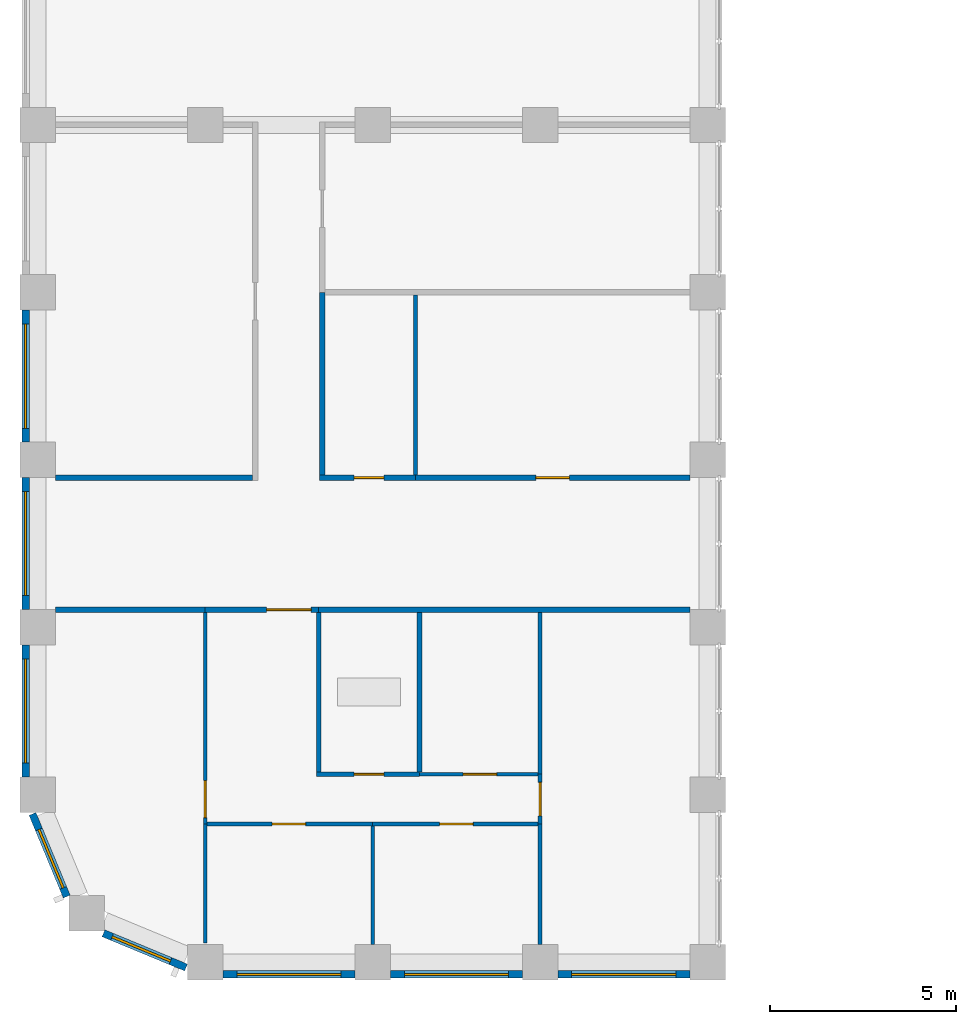
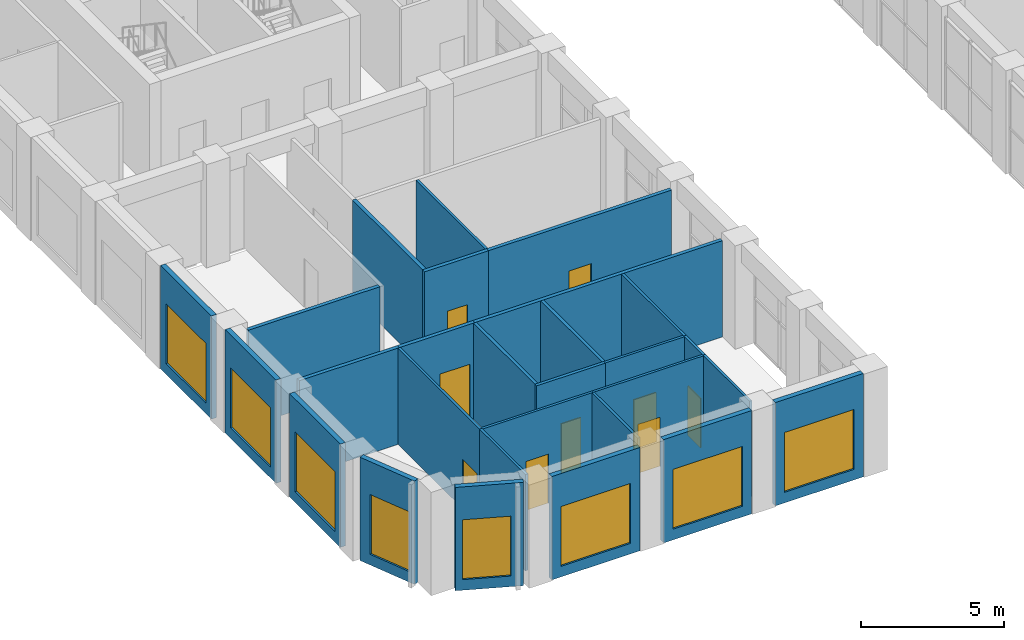
# One storey, part 9 of 19: 28 walls, 9 doors, 8 windows, 17 openings.
"""IFC4 building model written with IfcOpenShell, lengths in metres."""

import ifcopenshell
import ifcopenshell.guid

model = None  # the IFC model being written
_history = None  # IfcOwnerHistory: only IFC2X3 demands one
_inside = {}  # id of a spatial element -> (the spatial element, [elements in it])
_under = {}  # id of a project, library or spatial element -> (it, [spatial elements below it])
_declared = {}  # id of a project -> (the project, [libraries it declares])
_typed = {}  # id of a type object -> (the type object, [elements of that type])
_made_of = {}  # id of a material, layer set ... -> (it, [elements and type objects made of it])


def new_model(schema):
    """Start an empty IFC model of exactly this schema.

    Asked for "IFC4X3", IfcOpenShell would pick the latest addendum, in which some entities
    have other attributes; the version numbers below select the first issue.
    IFC2X3 requires an IfcOwnerHistory on every rooted entity: one is made here for all.
    """
    global model, _history
    if schema == "IFC4X3":
        model = ifcopenshell.file(schema_version=(4, 3, 0, 0))
    else:
        model = ifcopenshell.file(schema=schema)
    _inside.clear()
    _under.clear()
    _declared.clear()
    _typed.clear()
    _made_of.clear()
    _history = None
    if model.schema == "IFC2X3":
        org = make("IfcOrganization", Name="unknown")
        user = make(
            "IfcPersonAndOrganization",
            ThePerson=make("IfcPerson", FamilyName="unknown"),
            TheOrganization=org,
        )
        app = make(
            "IfcApplication",
            ApplicationDeveloper=org,
            Version="unknown",
            ApplicationFullName="unknown",
            ApplicationIdentifier="unknown",
        )
        _history = make(
            "IfcOwnerHistory",
            OwningUser=user,
            OwningApplication=app,
            ChangeAction="ADDED",
            CreationDate=0,
        )
    return model


def make(cls, **values):
    """One entity of the class cls with the attributes given. An attribute that is None is left unset."""
    return model.create_entity(
        cls, **{name: value for name, value in values.items() if value is not None}
    )


def rooted(cls, **values):
    """An entity with a GlobalId (a new one), such as an element, a storey or a relation."""
    return make(cls, GlobalId=ifcopenshell.guid.new(), OwnerHistory=_history, **values)


def si_unit(unit_type, name, prefix=None):
    """IfcSIUnit, for example si_unit("LENGTHUNIT", "METRE", prefix="MILLI")."""
    return make("IfcSIUnit", UnitType=unit_type, Prefix=prefix, Name=name)


def assignment(units):
    """IfcUnitAssignment: the units of a project."""
    return None if units is None else make("IfcUnitAssignment", Units=units)


def point(xyz):
    """IfcCartesianPoint."""
    return None if xyz is None else make("IfcCartesianPoint", Coordinates=xyz)


def direction(xyz):
    """IfcDirection."""
    return None if xyz is None else make("IfcDirection", DirectionRatios=xyz)


def frame(location, z_axis=None, x_axis=None):
    """IfcAxis2Placement3D, a coordinate frame: its origin and axes. An axis left out is left unset."""
    return make(
        "IfcAxis2Placement3D",
        Location=point(location),
        Axis=direction(z_axis),
        RefDirection=direction(x_axis),
    )


def frame_2d(location, x_axis=None):
    """IfcAxis2Placement2D, a coordinate frame in the plane: its origin and x axis."""
    return make(
        "IfcAxis2Placement2D", Location=point(location), RefDirection=direction(x_axis)
    )


def origin():
    """The frame at (0, 0, 0) with its axes left unset."""
    return frame((0.0, 0.0, 0.0))


def place(relative_to, where):
    """IfcLocalPlacement: puts the frame where relative to a parent placement (None: the world)."""
    return make(
        "IfcLocalPlacement", PlacementRelTo=relative_to, RelativePlacement=where
    )


def context(
    kind, dimensions, precision=None, world=None, true_north=None, identifier=None
):
    """IfcGeometricRepresentationContext, for example the 3D "Model" context."""
    return make(
        "IfcGeometricRepresentationContext",
        ContextIdentifier=identifier,
        ContextType=kind,
        CoordinateSpaceDimension=dimensions,
        Precision=precision,
        WorldCoordinateSystem=world,
        TrueNorth=true_north,
    )


def subcontext(parent, identifier, kind, view, scale=None):
    """IfcGeometricRepresentationSubContext, for example "Body" below "Model"."""
    return make(
        "IfcGeometricRepresentationSubContext",
        ContextIdentifier=identifier,
        ContextType=kind,
        ParentContext=parent,
        TargetScale=scale,
        TargetView=view,
    )


def project(units=None, contexts=None):
    """IfcProject with its units and contexts."""
    return rooted(
        "IfcProject",
        Name="project",
        RepresentationContexts=contexts,
        UnitsInContext=assignment(units),
    )


def spatial(cls, under=None, at=None, **own):
    """A site, building, storey or space (cls), placed at a placement, below another one or the project."""
    s = rooted(cls, ObjectPlacement=at, **own)
    if under is not None:
        _under.setdefault(under.id(), (under, []))[1].append(s)
    return s


def profile(cls, at=None, kind="AREA", **sizes):
    """A parametric profile (cls). Its sizes go by their IFC names, for example OverallWidth=200.0."""
    return make(cls, ProfileType=kind, Position=at, **sizes)


def rectangle(**sizes):
    """IfcRectangleProfileDef."""
    return profile("IfcRectangleProfileDef", **sizes)


def extrude(swept, where, along, depth):
    """IfcExtrudedAreaSolid: the profile swept, set in the frame where, extruded along a direction by depth."""
    return make(
        "IfcExtrudedAreaSolid",
        SweptArea=swept,
        Position=where,
        ExtrudedDirection=direction(along),
        Depth=depth,
    )


def shape(context_of_items, identifier, shape_type, items):
    """IfcShapeRepresentation: the items that make up one representation, for example the "Body"."""
    return make(
        "IfcShapeRepresentation",
        ContextOfItems=context_of_items,
        RepresentationIdentifier=identifier,
        RepresentationType=shape_type,
        Items=items,
    )


def material(Name=None, Category=None):
    """IfcMaterial."""
    return make("IfcMaterial", Name=Name, Category=Category)


def layer(
    of_material, thickness, ventilated=None, Name=None, Category=None, Priority=None
):
    """IfcMaterialLayer: one layer of a wall or slab, of a material (None: an air gap)."""
    return make(
        "IfcMaterialLayer",
        Material=of_material,
        LayerThickness=thickness,
        IsVentilated=ventilated,
        Name=Name,
        Category=Category,
        Priority=Priority,
    )


def layer_set(layers, Name=None):
    """IfcMaterialLayerSet."""
    return make("IfcMaterialLayerSet", MaterialLayers=layers, LayerSetName=Name)


def made_of(thing, what):
    """Note that an element or type object is made of a material, layer set ...; save() writes the relation."""
    if what is not None:
        _made_of.setdefault(what.id(), (what, []))[1].append(thing)
    return thing


def type_object(cls, material=None, **own):
    """A type object (cls), such as IfcWallType, which elements share."""
    return made_of(rooted(cls, **own), material)


def element(
    cls,
    number,
    at=None,
    inside=None,
    cuts=None,
    type_object=None,
    material=None,
    context=None,
    identifier="Body",
    shape_type=None,
    held_by="IfcProductDefinitionShape",
    body=None,
    shapes=None,
    **own,
):
    """One element of the class cls, such as IfcWall. Its Tag is "e" and its number.

    at: its placement. inside: the storey or other place that contains it. cuts: it is an
    opening in that element (IfcRelVoidsElement). A single representation is given by context,
    identifier, shape_type and body (its items); several are given by shapes. held_by: the class
    of the entity that holds the representations. save() writes the other relations.
    """
    e = rooted(cls, Tag="e%d" % number, ObjectPlacement=at, **own)
    if body is not None:
        shapes = [shape(context, identifier, shape_type, body)]
    if shapes is not None:
        e.Representation = make(held_by, Representations=shapes)
    if inside is not None:
        _inside.setdefault(inside.id(), (inside, []))[1].append(e)
    if cuts is not None:
        rooted(
            "IfcRelVoidsElement", RelatingBuildingElement=cuts, RelatedOpeningElement=e
        )
    if type_object is not None:
        _typed.setdefault(type_object.id(), (type_object, []))[1].append(e)
    return made_of(e, material)


def fill(opening, filler):
    """IfcRelFillsElement: the door or window that sits in an opening."""
    return rooted(
        "IfcRelFillsElement",
        RelatingOpeningElement=opening,
        RelatedBuildingElement=filler,
    )


def aggregate(whole, parts):
    """IfcRelAggregates: a whole, such as a stair, and the parts it consists of."""
    return rooted("IfcRelAggregates", RelatingObject=whole, RelatedObjects=parts)


def save(model, path):
    """Write the relations noted so far, then the file.

    IfcRelAggregates (storeys below a building ...), IfcRelContainedInSpatialStructure (elements
    in a storey), IfcRelDefinesByType, IfcRelAssociatesMaterial and IfcRelDeclares: one each for
    every whole, place, type object, material and project.
    """
    for whole, parts in _under.values():
        aggregate(whole, parts)
    for where, things in _inside.values():
        rooted(
            "IfcRelContainedInSpatialStructure",
            RelatedElements=things,
            RelatingStructure=where,
        )
    for kind, things in _typed.values():
        rooted("IfcRelDefinesByType", RelatedObjects=things, RelatingType=kind)
    for what, things in _made_of.values():
        rooted("IfcRelAssociatesMaterial", RelatedObjects=things, RelatingMaterial=what)
    for by, libraries in _declared.values():
        rooted("IfcRelDeclares", RelatingContext=by, RelatedDefinitions=libraries)
    model.write(path)


model = new_model("IFC4")

# Units and contexts
model_context = context("Model", 3, precision=1e-05, world=origin(), true_north=direction((0.0, 1.0)))
body_context = subcontext(model_context, "Body", "Model", "MODEL_VIEW")
ifc_project = project(units=[si_unit("LENGTHUNIT", "METRE"), si_unit("AREAUNIT", "SQUARE_METRE"), si_unit("VOLUMEUNIT", "CUBIC_METRE"), si_unit("PLANEANGLEUNIT", "RADIAN"), si_unit("MASSUNIT", "GRAM", prefix="KILO")], contexts=[model_context])

# Site, building, storey
site_placement = place(None, origin())
site = spatial("IfcSite", under=ifc_project, at=site_placement, CompositionType="ELEMENT")
building_placement = place(site_placement, origin())
building = spatial("IfcBuilding", under=site, at=building_placement, Name="Girih Gate Residences", CompositionType="ELEMENT")
storey_placement = place(building_placement, frame((0.0, 0.0, 163.800048828125)))
storey = spatial("IfcBuildingStorey", under=building, at=storey_placement, Name="L45", CompositionType="ELEMENT", Elevation=163.800048828125)

# Wall
ifc_material_1 = material(Name="Gypsum board on steel studs", Category="steel")
ifc_layer_1 = layer(ifc_material_1, 0.14990234375)
ifc_layer_set_1 = layer_set([ifc_layer_1], Name="Compartment wall 150 mm")
wall_type_1 = type_object("IfcWallType", Name="Compartment wall 150 mm", PredefinedType="PARTITIONING", material=ifc_layer_set_1)
wall_1_placement = place(storey_placement, frame((7.550048828125, 9.47509765625, 0.0), z_axis=(0.0, 0.0, 1.0), x_axis=(1.0, 0.0, 0.0)))
element("IfcWall", 1, at=wall_1_placement, inside=storey, type_object=wall_type_1, Name="L45 partition", PredefinedType="PARTITIONING", context=body_context, shape_type="SweptSolid", body=[
    extrude(rectangle(XDim=9.974853515625, YDim=0.14990234375, at=frame_2d((4.9873046875, 0.0))), origin(), (0.0, 0.0, 1.0), 4.099853515625),
])

# Wall, opening, door
wall_2_placement = place(storey_placement, frame((7.550048828125, 9.47509765625, 0.0), z_axis=(0.0, 0.0, 1.0), x_axis=(-1.0, 0.0, 0.0)))
wall_2 = element("IfcWall", 2, at=wall_2_placement, inside=storey, type_object=wall_type_1, Name="L45 partition", PredefinedType="PARTITIONING", context=body_context, shape_type="SweptSolid", body=[
    extrude(rectangle(XDim=3.050048828125, YDim=0.14990234375, at=frame_2d((1.52490234375, 0.0))), origin(), (0.0, 0.0, 1.0), 4.099853515625),
])
opening_1_placement = place(wall_2_placement, frame((0.199951171875, 0.0, 0.0)))
opening_1 = element("IfcOpeningElement", 3, at=opening_1_placement, cuts=wall_2, Name="Opening A45-007", PredefinedType="OPENING", context=body_context, shape_type="SweptSolid", body=[
    extrude(rectangle(XDim=1.199951171875, YDim=2.39990234375, at=frame_2d((0.60009765625, 1.199951171875))), frame((0.0, 0.0849609375, 0.0), z_axis=(0.0, -1.0, 0.0), x_axis=(1.0, 0.0, 0.0)), (0.0, 0.0, 1.0), 0.169921875),
])
ifc_material_2 = material(Name="Timber, fire-rated core", Category="wood")
door_type_1 = type_object("IfcDoorType", Name="Villa entrance door 1200x2400 FD30S", OperationType="NOTDEFINED", PredefinedType="DOOR", material=ifc_material_2)
door_1_placement = place(opening_1_placement, origin())
door_1 = element("IfcDoor", 4, at=door_1_placement, inside=storey, type_object=door_type_1, Name="Door A45-007", OperationType="SINGLE_SWING_LEFT", OverallHeight=2.39990234375, OverallWidth=1.199951171875, PredefinedType="DOOR", context=body_context, shape_type="SweptSolid", body=[
    extrude(rectangle(XDim=1.199951171875, YDim=2.39990234375, at=frame_2d((0.60009765625, 1.199951171875))), frame((0.0, 0.02490234375, 0.0), z_axis=(0.0, -1.0, 0.0), x_axis=(1.0, 0.0, 0.0)), (0.0, 0.0, 1.0), 0.050048828125),
])
fill(opening_1, door_1)

# Wall
wall_3_placement = place(storey_placement, frame((0.47509765625, 9.47509765625, 0.0), z_axis=(0.0, 0.0, 1.0), x_axis=(1.0, 0.0, 0.0)))
element("IfcWall", 5, at=wall_3_placement, inside=storey, type_object=wall_type_1, Name="L45 partition", PredefinedType="PARTITIONING", context=body_context, shape_type="SweptSolid", body=[
    extrude(rectangle(XDim=4.02490234375, YDim=0.14990234375, at=frame_2d((2.012451171875, 0.0))), origin(), (0.0, 0.0, 1.0), 4.099853515625),
])

# Wall, opening, door
wall_4_placement = place(storey_placement, frame((10.14990234375, 13.02490234375, 0.0), z_axis=(0.0, 0.0, 1.0), x_axis=(1.0, 0.0, 0.0)))
wall_4 = element("IfcWall", 6, at=wall_4_placement, inside=storey, type_object=wall_type_1, Name="L45 partition", PredefinedType="PARTITIONING", context=body_context, shape_type="SweptSolid", body=[
    extrude(rectangle(XDim=7.375, YDim=0.14990234375, at=frame_2d((3.6875, 0.0))), origin(), (0.0, 0.0, 1.0), 4.099853515625),
])
opening_2_placement = place(wall_4_placement, frame((3.237548828125, 0.0, 0.0)))
opening_2 = element("IfcOpeningElement", 7, at=opening_2_placement, cuts=wall_4, Name="Opening A45-034", PredefinedType="OPENING", context=body_context, shape_type="SweptSolid", body=[
    extrude(rectangle(XDim=0.89990234375, YDim=2.10009765625, at=frame_2d((0.449951171875, 1.050048828125))), frame((0.0, 0.0849609375, 0.0), z_axis=(0.0, -1.0, 0.0), x_axis=(1.0, 0.0, 0.0)), (0.0, 0.0, 1.0), 0.169921875),
])
ifc_material_3 = material(Name="Timber", Category="wood")
door_type_2 = type_object("IfcDoorType", Name="Service room door 900x2100", OperationType="NOTDEFINED", PredefinedType="DOOR", material=ifc_material_3)
door_2_placement = place(opening_2_placement, origin())
door_2 = element("IfcDoor", 8, at=door_2_placement, inside=storey, type_object=door_type_2, Name="Door A45-034", OperationType="SINGLE_SWING_LEFT", OverallHeight=2.10009765625, OverallWidth=0.89990234375, PredefinedType="DOOR", context=body_context, shape_type="SweptSolid", body=[
    extrude(rectangle(XDim=0.89990234375, YDim=2.10009765625, at=frame_2d((0.449951171875, 1.050048828125))), frame((0.0, 0.02490234375, 0.0), z_axis=(0.0, -1.0, 0.0), x_axis=(1.0, 0.0, 0.0)), (0.0, 0.0, 1.0), 0.050048828125),
])
fill(opening_2, door_2)

wall_5_placement = place(storey_placement, frame((7.574951171875, 13.02490234375, 0.0), z_axis=(0.0, 0.0, 1.0), x_axis=(1.0, 0.0, 0.0)))
wall_5 = element("IfcWall", 9, at=wall_5_placement, inside=storey, type_object=wall_type_1, Name="L45 partition", PredefinedType="PARTITIONING", context=body_context, shape_type="SweptSolid", body=[
    extrude(rectangle(XDim=2.574951171875, YDim=0.14990234375, at=frame_2d((1.28759765625, 0.0))), origin(), (0.0, 0.0, 1.0), 4.099853515625),
])
opening_3_placement = place(wall_5_placement, frame((0.925048828125, 0.0, 0.0)))
opening_3 = element("IfcOpeningElement", 10, at=opening_3_placement, cuts=wall_5, Name="Opening A45-035", PredefinedType="OPENING", context=body_context, shape_type="SweptSolid", body=[
    extrude(rectangle(XDim=0.800048828125, YDim=2.10009765625, at=frame_2d((0.39990234375, 1.050048828125))), frame((0.0, 0.0849609375, 0.0), z_axis=(0.0, -1.0, 0.0), x_axis=(1.0, 0.0, 0.0)), (0.0, 0.0, 1.0), 0.169921875),
])
door_type_3 = type_object("IfcDoorType", Name="Bathroom door 800x2100", OperationType="NOTDEFINED", PredefinedType="DOOR", material=ifc_material_3)
door_3_placement = place(opening_3_placement, origin())
door_3 = element("IfcDoor", 11, at=door_3_placement, inside=storey, type_object=door_type_3, Name="Door A45-035", OperationType="SINGLE_SWING_RIGHT", OverallHeight=2.10009765625, OverallWidth=0.800048828125, PredefinedType="DOOR", context=body_context, shape_type="SweptSolid", body=[
    extrude(rectangle(XDim=0.800048828125, YDim=2.10009765625, at=frame_2d((0.39990234375, 1.050048828125))), frame((0.0, 0.02490234375, 0.0), z_axis=(0.0, -1.0, 0.0), x_axis=(1.0, 0.0, 0.0)), (0.0, 0.0, 1.0), 0.050048828125),
])
fill(opening_3, door_3)

# Walls
wall_6_placement = place(storey_placement, frame((0.47509765625, 13.02490234375, 0.0), z_axis=(0.0, 0.0, 1.0), x_axis=(1.0, 0.0, 0.0)))
element("IfcWall", 12, at=wall_6_placement, inside=storey, type_object=wall_type_1, Name="L45 partition", PredefinedType="PARTITIONING", context=body_context, shape_type="SweptSolid", body=[
    extrude(rectangle(XDim=5.2998046875, YDim=0.14990234375, at=frame_2d((2.64990234375, 0.0))), origin(), (0.0, 0.0, 1.0), 4.099853515625),
])
wall_7_placement = place(storey_placement, frame((7.64990234375, 13.10009765625, 0.0), z_axis=(0.0, 0.0, 1.0), x_axis=(0.0, 1.0, 0.0)))
element("IfcWall", 13, at=wall_7_placement, inside=storey, type_object=wall_type_1, Name="L45 partition", PredefinedType="PARTITIONING", context=body_context, shape_type="SweptSolid", body=[
    extrude(rectangle(XDim=4.89990234375, YDim=0.14990234375, at=frame_2d((2.449951171875, 0.0))), origin(), (0.0, 0.0, 1.0), 4.099853515625),
])
ifc_layer_2 = layer(ifc_material_1, 0.10009765625)
ifc_layer_set_2 = layer_set([ifc_layer_2], Name="Partition 100 mm")
wall_type_2 = type_object("IfcWallType", Name="Partition 100 mm", PredefinedType="PARTITIONING", material=ifc_layer_set_2)
wall_8_placement = place(storey_placement, frame((9.0, 0.47509765625, 0.0), z_axis=(0.0, 0.0, 1.0), x_axis=(0.0, 1.0, 0.0)))
element("IfcWall", 14, at=wall_8_placement, inside=storey, type_object=wall_type_2, Name="L45 partition", PredefinedType="PARTITIONING", context=body_context, shape_type="SweptSolid", body=[
    extrude(rectangle(XDim=3.18994140625, YDim=0.10009765625, at=frame_2d((1.594970703125, 0.0))), origin(), (0.0, 0.0, 1.0), 4.099853515625),
])

# Wall, opening, door
wall_9_placement = place(storey_placement, frame((9.0, 3.715087890625, 0.0), z_axis=(0.0, 0.0, 1.0), x_axis=(-1.0, 0.0, 0.0)))
wall_9 = element("IfcWall", 15, at=wall_9_placement, inside=storey, type_object=wall_type_2, Name="L45 partition", PredefinedType="PARTITIONING", context=body_context, shape_type="SweptSolid", body=[
    extrude(rectangle(XDim=4.449951171875, YDim=0.10009765625, at=frame_2d((2.22509765625, 0.0))), origin(), (0.0, 0.0, 1.0), 4.099853515625),
])
opening_4_placement = place(wall_9_placement, frame((1.800048828125, 0.0, 0.0)))
opening_4 = element("IfcOpeningElement", 16, at=opening_4_placement, cuts=wall_9, Name="Opening A45-002", PredefinedType="OPENING", context=body_context, shape_type="SweptSolid", body=[
    extrude(rectangle(XDim=0.89990234375, YDim=2.10009765625, at=frame_2d((0.449951171875, 1.050048828125))), frame((0.0, 0.06005859375, 0.0), z_axis=(0.0, -1.0, 0.0), x_axis=(1.0, 0.0, 0.0)), (0.0, 0.0, 1.0), 0.1201171875),
])
door_type_4 = type_object("IfcDoorType", Name="Bedroom door 900x2100", OperationType="NOTDEFINED", PredefinedType="DOOR", material=ifc_material_3)
door_4_placement = place(opening_4_placement, origin())
door_4 = element("IfcDoor", 17, at=door_4_placement, inside=storey, type_object=door_type_4, Name="Door A45-002", OperationType="SINGLE_SWING_RIGHT", OverallHeight=2.10009765625, OverallWidth=0.89990234375, PredefinedType="DOOR", context=body_context, shape_type="SweptSolid", body=[
    extrude(rectangle(XDim=0.89990234375, YDim=2.10009765625, at=frame_2d((0.449951171875, 1.050048828125))), frame((0.0, 0.02490234375, 0.0), z_axis=(0.0, -1.0, 0.0), x_axis=(1.0, 0.0, 0.0)), (0.0, 0.0, 1.0), 0.050048828125),
])
fill(opening_4, door_4)

# Walls
wall_10_placement = place(storey_placement, frame((4.5, 0.51416015625, 0.0), z_axis=(0.0, 0.0, 1.0), x_axis=(0.0, 1.0, 0.0)))
element("IfcWall", 18, at=wall_10_placement, inside=storey, type_object=wall_type_2, Name="L45 partition", PredefinedType="PARTITIONING", context=body_context, shape_type="SweptSolid", body=[
    extrude(rectangle(XDim=3.200927734375, YDim=0.10009765625, at=frame_2d((1.6005859375, 0.0))), origin(), (0.0, 0.0, 1.0), 4.099853515625),
])
wall_11_placement = place(storey_placement, frame((13.5, 0.47509765625, 0.0), z_axis=(0.0, 0.0, 1.0), x_axis=(0.0, 1.0, 0.0)))
element("IfcWall", 19, at=wall_11_placement, inside=storey, type_object=wall_type_2, Name="L45 partition", PredefinedType="PARTITIONING", context=body_context, shape_type="SweptSolid", body=[
    extrude(rectangle(XDim=3.239990234375, YDim=0.10009765625, at=frame_2d((1.6201171875, 0.0))), origin(), (0.0, 0.0, 1.0), 4.099853515625),
])

# Wall, opening, door
wall_12_placement = place(storey_placement, frame((13.449951171875, 3.715087890625, 0.0), z_axis=(0.0, 0.0, 1.0), x_axis=(-1.0, 0.0, 0.0)))
wall_12 = element("IfcWall", 20, at=wall_12_placement, inside=storey, type_object=wall_type_2, Name="L45 partition", PredefinedType="PARTITIONING", context=body_context, shape_type="SweptSolid", body=[
    extrude(rectangle(XDim=4.449951171875, YDim=0.10009765625, at=frame_2d((2.22509765625, 0.0))), origin(), (0.0, 0.0, 1.0), 4.099853515625),
])
opening_5_placement = place(wall_12_placement, frame((1.75, 0.0, 0.0)))
opening_5 = element("IfcOpeningElement", 21, at=opening_5_placement, cuts=wall_12, Name="Opening A45-003", PredefinedType="OPENING", context=body_context, shape_type="SweptSolid", body=[
    extrude(rectangle(XDim=0.89990234375, YDim=2.10009765625, at=frame_2d((0.449951171875, 1.050048828125))), frame((0.0, 0.06005859375, 0.0), z_axis=(0.0, -1.0, 0.0), x_axis=(1.0, 0.0, 0.0)), (0.0, 0.0, 1.0), 0.1201171875),
])
door_5_placement = place(opening_5_placement, origin())
door_5 = element("IfcDoor", 22, at=door_5_placement, inside=storey, type_object=door_type_4, Name="Door A45-003", OperationType="SINGLE_SWING_LEFT", OverallHeight=2.10009765625, OverallWidth=0.89990234375, PredefinedType="DOOR", context=body_context, shape_type="SweptSolid", body=[
    extrude(rectangle(XDim=0.89990234375, YDim=2.10009765625, at=frame_2d((0.449951171875, 1.050048828125))), frame((0.0, 0.02490234375, 0.0), z_axis=(0.0, -1.0, 0.0), x_axis=(1.0, 0.0, 0.0)), (0.0, 0.0, 1.0), 0.050048828125),
])
fill(opening_5, door_5)

wall_13_placement = place(storey_placement, frame((13.5, 5.054931640625, 0.0), z_axis=(0.0, 0.0, 1.0), x_axis=(0.0, -1.0, 0.0)))
wall_13 = element("IfcWall", 23, at=wall_13_placement, inside=storey, type_object=wall_type_2, Name="L45 partition", PredefinedType="PARTITIONING", context=body_context, shape_type="SweptSolid", body=[
    extrude(rectangle(XDim=1.33984375, YDim=0.10009765625, at=frame_2d((0.669921875, 0.0))), origin(), (0.0, 0.0, 1.0), 4.099853515625),
])
opening_6_placement = place(wall_13_placement, frame((0.219970703125, 0.0, 0.0)))
opening_6 = element("IfcOpeningElement", 24, at=opening_6_placement, cuts=wall_13, Name="Opening A45-004", PredefinedType="OPENING", context=body_context, shape_type="SweptSolid", body=[
    extrude(rectangle(XDim=0.89990234375, YDim=2.10009765625, at=frame_2d((0.449951171875, 1.050048828125))), frame((0.0, 0.06005859375, 0.0), z_axis=(0.0, -1.0, 0.0), x_axis=(1.0, 0.0, 0.0)), (0.0, 0.0, 1.0), 0.1201171875),
])
door_6_placement = place(opening_6_placement, origin())
door_6 = element("IfcDoor", 25, at=door_6_placement, inside=storey, type_object=door_type_4, Name="Door A45-004", OperationType="SINGLE_SWING_RIGHT", OverallHeight=2.10009765625, OverallWidth=0.89990234375, PredefinedType="DOOR", context=body_context, shape_type="SweptSolid", body=[
    extrude(rectangle(XDim=0.89990234375, YDim=2.10009765625, at=frame_2d((0.449951171875, 1.050048828125))), frame((0.0, 0.02490234375, 0.0), z_axis=(0.0, -1.0, 0.0), x_axis=(1.0, 0.0, 0.0)), (0.0, 0.0, 1.0), 0.050048828125),
])
fill(opening_6, door_6)

# Wall
wall_14_placement = place(storey_placement, frame((13.5, 5.054931640625, 0.0), z_axis=(0.0, 0.0, 1.0), x_axis=(0.0, 1.0, 0.0)))
element("IfcWall", 26, at=wall_14_placement, inside=storey, type_object=wall_type_2, Name="L45 partition", PredefinedType="PARTITIONING", context=body_context, shape_type="SweptSolid", body=[
    extrude(rectangle(XDim=4.344970703125, YDim=0.10009765625, at=frame_2d((2.17236328125, 0.0))), origin(), (0.0, 0.0, 1.0), 4.099853515625),
])

# Wall, opening, door
wall_15_placement = place(storey_placement, frame((10.258544921875, 5.054931640625, 0.0), z_axis=(0.0, 0.0, 1.0), x_axis=(1.0, 0.0, 0.0)))
wall_15 = element("IfcWall", 27, at=wall_15_placement, inside=storey, type_object=wall_type_2, Name="L45 partition", PredefinedType="PARTITIONING", context=body_context, shape_type="SweptSolid", body=[
    extrude(rectangle(XDim=3.19140625, YDim=0.10009765625, at=frame_2d((1.595703125, 0.0))), origin(), (0.0, 0.0, 1.0), 4.099853515625),
])
opening_7_placement = place(wall_15_placement, frame((1.170654296875, 0.0, 0.0)))
opening_7 = element("IfcOpeningElement", 28, at=opening_7_placement, cuts=wall_15, Name="Opening A45-005", PredefinedType="OPENING", context=body_context, shape_type="SweptSolid", body=[
    extrude(rectangle(XDim=0.89990234375, YDim=2.10009765625, at=frame_2d((0.449951171875, 1.050048828125))), frame((0.0, 0.06005859375, 0.0), z_axis=(0.0, -1.0, 0.0), x_axis=(1.0, 0.0, 0.0)), (0.0, 0.0, 1.0), 0.1201171875),
])
door_type_5 = type_object("IfcDoorType", Name="Kitchen door 900x2100", OperationType="NOTDEFINED", PredefinedType="DOOR", material=ifc_material_3)
door_7_placement = place(opening_7_placement, origin())
door_7 = element("IfcDoor", 29, at=door_7_placement, inside=storey, type_object=door_type_5, Name="Door A45-005", OperationType="SINGLE_SWING_RIGHT", OverallHeight=2.10009765625, OverallWidth=0.89990234375, PredefinedType="DOOR", context=body_context, shape_type="SweptSolid", body=[
    extrude(rectangle(XDim=0.89990234375, YDim=2.10009765625, at=frame_2d((0.449951171875, 1.050048828125))), frame((0.0, 0.02490234375, 0.0), z_axis=(0.0, -1.0, 0.0), x_axis=(1.0, 0.0, 0.0)), (0.0, 0.0, 1.0), 0.050048828125),
])
fill(opening_7, door_7)

wall_16_placement = place(storey_placement, frame((4.5, 3.715087890625, 0.0), z_axis=(0.0, 0.0, 1.0), x_axis=(0.0, 1.0, 0.0)))
wall_16 = element("IfcWall", 30, at=wall_16_placement, inside=storey, type_object=wall_type_2, Name="L45 partition", PredefinedType="PARTITIONING", context=body_context, shape_type="SweptSolid", body=[
    extrude(rectangle(XDim=5.684814453125, YDim=0.10009765625, at=frame_2d((2.84228515625, 0.0))), origin(), (0.0, 0.0, 1.0), 4.099853515625),
])
opening_8_placement = place(wall_16_placement, frame((0.169921875, 0.0, 0.0)))
opening_8 = element("IfcOpeningElement", 31, at=opening_8_placement, cuts=wall_16, Name="Opening A45-006", PredefinedType="OPENING", context=body_context, shape_type="SweptSolid", body=[
    extrude(rectangle(XDim=1.0, YDim=2.10009765625, at=frame_2d((0.5, 1.050048828125))), frame((0.0, 0.06005859375, 0.0), z_axis=(0.0, -1.0, 0.0), x_axis=(1.0, 0.0, 0.0)), (0.0, 0.0, 1.0), 0.1201171875),
])
door_type_6 = type_object("IfcDoorType", Name="Living room door 1000x2100", OperationType="NOTDEFINED", PredefinedType="DOOR", material=ifc_material_3)
door_8_placement = place(opening_8_placement, origin())
door_8 = element("IfcDoor", 32, at=door_8_placement, inside=storey, type_object=door_type_6, Name="Door A45-006", OperationType="SINGLE_SWING_LEFT", OverallHeight=2.10009765625, OverallWidth=1.0, PredefinedType="DOOR", context=body_context, shape_type="SweptSolid", body=[
    extrude(rectangle(XDim=1.0, YDim=2.10009765625, at=frame_2d((0.5, 1.050048828125))), frame((0.0, 0.02490234375, 0.0), z_axis=(0.0, -1.0, 0.0), x_axis=(1.0, 0.0, 0.0)), (0.0, 0.0, 1.0), 0.050048828125),
])
fill(opening_8, door_8)

# Wall
wall_17_placement = place(storey_placement, frame((10.14990234375, 13.10009765625, 0.0), z_axis=(0.0, 0.0, 1.0), x_axis=(0.0, 1.0, 0.0)))
element("IfcWall", 33, at=wall_17_placement, inside=storey, type_object=wall_type_2, Name="L45 partition", PredefinedType="PARTITIONING", context=body_context, shape_type="SweptSolid", body=[
    extrude(rectangle(XDim=4.824951171875, YDim=0.10009765625, at=frame_2d((2.41259765625, 0.0))), origin(), (0.0, 0.0, 1.0), 4.099853515625),
])

# Wall, opening, window
ifc_material_4 = material(Name="Precast concrete C50/60", Category="concrete")
ifc_layer_3 = layer(ifc_material_4, 0.06005859375, Name="Outer leaf")
ifc_material_5 = material(Name="Rigid PIR insulation")
ifc_layer_4 = layer(ifc_material_5, 0.090087890625, Name="Insulation")
ifc_material_6 = material(Name="Precast concrete C40/50", Category="concrete")
ifc_layer_5 = layer(ifc_material_6, 0.050048828125, Name="Inner leaf")
ifc_layer_set_3 = layer_set([ifc_layer_3, ifc_layer_4, ifc_layer_5], Name="Precast concrete C50/60 external wall 200")
wall_type_3 = type_object("IfcWallType", Name="Precast concrete C50/60 external wall 200", PredefinedType="SOLIDWALL", material=ifc_layer_set_3)
wall_18_placement = place(storey_placement, frame((-0.324951171875, 13.97509765625, 0.0), z_axis=(0.0, 0.0, 1.0), x_axis=(0.0, 1.0, 0.0)))
wall_18 = element("IfcWall", 34, at=wall_18_placement, inside=storey, type_object=wall_type_3, Name="External wall W0000_0450.6", PredefinedType="SOLIDWALL", context=body_context, shape_type="SweptSolid", body=[
    extrude(rectangle(XDim=3.5498046875, YDim=0.199951171875, at=frame_2d((1.77490234375, 0.0))), origin(), (0.0, 0.0, 1.0), 4.39990234375),
])
opening_9_placement = place(wall_18_placement, frame((0.375, 0.0, 0.449951171875)))
opening_9 = element("IfcOpeningElement", 35, at=opening_9_placement, cuts=wall_18, Name="Opening W-6A", PredefinedType="OPENING", context=body_context, shape_type="SweptSolid", body=[
    extrude(rectangle(XDim=2.800048828125, YDim=2.550048828125, at=frame_2d((1.39990234375, 1.27490234375))), frame((0.0, 0.10986328125, 0.0), z_axis=(0.0, -1.0, 0.0), x_axis=(1.0, 0.0, 0.0)), (0.0, 0.0, 1.0), 0.219970703125),
])
ifc_material_7 = material(Name="Double glazing in aluminium frame", Category="aluminium")
window_type_1 = type_object("IfcWindowType", Name="Window W-6A 2800x2550", PartitioningType="SINGLE_PANEL", PredefinedType="WINDOW", material=ifc_material_7)
window_1_placement = place(opening_9_placement, origin())
window_1 = element("IfcWindow", 36, at=window_1_placement, inside=storey, type_object=window_type_1, Name="Window W-6A W0000_0450.6", OverallHeight=2.550048828125, OverallWidth=2.800048828125, PartitioningType="SINGLE_PANEL", PredefinedType="WINDOW", context=body_context, shape_type="SweptSolid", body=[
    extrude(rectangle(XDim=2.800048828125, YDim=2.550048828125, at=frame_2d((1.39990234375, 1.27490234375))), frame((0.0, 0.030029296875, 0.0), z_axis=(0.0, -1.0, 0.0), x_axis=(1.0, 0.0, 0.0)), (0.0, 0.0, 1.0), 0.06005859375),
])
fill(opening_9, window_1)

wall_19_placement = place(storey_placement, frame((-0.324951171875, 9.47509765625, 0.0), z_axis=(0.0, 0.0, 1.0), x_axis=(0.0, 1.0, 0.0)))
wall_19 = element("IfcWall", 37, at=wall_19_placement, inside=storey, type_object=wall_type_3, Name="External wall W0000_0450.7", PredefinedType="SOLIDWALL", context=body_context, shape_type="SweptSolid", body=[
    extrude(rectangle(XDim=3.5498046875, YDim=0.199951171875, at=frame_2d((1.77490234375, 0.0))), origin(), (0.0, 0.0, 1.0), 4.39990234375),
])
opening_10_placement = place(wall_19_placement, frame((0.375, 0.0, 0.449951171875)))
opening_10 = element("IfcOpeningElement", 38, at=opening_10_placement, cuts=wall_19, Name="Opening W-6A", PredefinedType="OPENING", context=body_context, shape_type="SweptSolid", body=[
    extrude(rectangle(XDim=2.800048828125, YDim=2.550048828125, at=frame_2d((1.39990234375, 1.27490234375))), frame((0.0, 0.10986328125, 0.0), z_axis=(0.0, -1.0, 0.0), x_axis=(1.0, 0.0, 0.0)), (0.0, 0.0, 1.0), 0.219970703125),
])
window_2_placement = place(opening_10_placement, origin())
window_2 = element("IfcWindow", 39, at=window_2_placement, inside=storey, type_object=window_type_1, Name="Window W-6A W0000_0450.7", OverallHeight=2.550048828125, OverallWidth=2.800048828125, PartitioningType="SINGLE_PANEL", PredefinedType="WINDOW", context=body_context, shape_type="SweptSolid", body=[
    extrude(rectangle(XDim=2.800048828125, YDim=2.550048828125, at=frame_2d((1.39990234375, 1.27490234375))), frame((0.0, 0.030029296875, 0.0), z_axis=(0.0, -1.0, 0.0), x_axis=(1.0, 0.0, 0.0)), (0.0, 0.0, 1.0), 0.06005859375),
])
fill(opening_10, window_2)

wall_20_placement = place(storey_placement, frame((-0.324951171875, 4.97509765625, 0.0), z_axis=(0.0, 0.0, 1.0), x_axis=(0.0, 1.0, 0.0)))
wall_20 = element("IfcWall", 40, at=wall_20_placement, inside=storey, type_object=wall_type_3, Name="External wall W0000_0450.8", PredefinedType="SOLIDWALL", context=body_context, shape_type="SweptSolid", body=[
    extrude(rectangle(XDim=3.5498046875, YDim=0.199951171875, at=frame_2d((1.77490234375, 0.0))), origin(), (0.0, 0.0, 1.0), 4.39990234375),
])
opening_11_placement = place(wall_20_placement, frame((0.375, 0.0, 0.449951171875)))
opening_11 = element("IfcOpeningElement", 41, at=opening_11_placement, cuts=wall_20, Name="Opening W-6A", PredefinedType="OPENING", context=body_context, shape_type="SweptSolid", body=[
    extrude(rectangle(XDim=2.800048828125, YDim=2.550048828125, at=frame_2d((1.39990234375, 1.27490234375))), frame((0.0, 0.10986328125, 0.0), z_axis=(0.0, -1.0, 0.0), x_axis=(1.0, 0.0, 0.0)), (0.0, 0.0, 1.0), 0.219970703125),
])
window_3_placement = place(opening_11_placement, origin())
window_3 = element("IfcWindow", 42, at=window_3_placement, inside=storey, type_object=window_type_1, Name="Window W-6A W0000_0450.8", OverallHeight=2.550048828125, OverallWidth=2.800048828125, PartitioningType="SINGLE_PANEL", PredefinedType="WINDOW", context=body_context, shape_type="SweptSolid", body=[
    extrude(rectangle(XDim=2.800048828125, YDim=2.550048828125, at=frame_2d((1.39990234375, 1.27490234375))), frame((0.0, 0.030029296875, 0.0), z_axis=(0.0, -1.0, 0.0), x_axis=(1.0, 0.0, 0.0)), (0.0, 0.0, 1.0), 0.06005859375),
])
fill(opening_11, window_3)

wall_21_placement = place(storey_placement, frame((0.7802734375, 1.76708984375, 0.0), z_axis=(0.0, 0.0, 1.0), x_axis=(-0.382680855588, 0.923880599843, 0.0)))
wall_21 = element("IfcWall", 43, at=wall_21_placement, inside=storey, type_object=wall_type_3, Name="External wall SW0000_0045.0", PredefinedType="SOLIDWALL", context=body_context, shape_type="SweptSolid", body=[
    extrude(rectangle(XDim=2.402587890625, YDim=0.199951171875, at=frame_2d((1.201171875, 0.0))), origin(), (0.0, 0.0, 1.0), 4.39990234375),
])
opening_12_placement = place(wall_21_placement, frame((0.25146484375, 0.0, 0.449951171875)))
opening_12 = element("IfcOpeningElement", 44, at=opening_12_placement, cuts=wall_21, Name="Opening W-2F", PredefinedType="OPENING", context=body_context, shape_type="SweptSolid", body=[
    extrude(rectangle(XDim=1.699951171875, YDim=2.550048828125, at=frame_2d((0.85009765625, 1.27490234375))), frame((0.0, 0.10986328125, 0.0), z_axis=(0.0, -1.0, 0.0), x_axis=(1.0, 0.0, 0.0)), (0.0, 0.0, 1.0), 0.219970703125),
])
window_type_2 = type_object("IfcWindowType", Name="Window W-2F 1700x2550", PartitioningType="SINGLE_PANEL", PredefinedType="WINDOW", material=ifc_material_7)
window_4_placement = place(opening_12_placement, origin())
window_4 = element("IfcWindow", 45, at=window_4_placement, inside=storey, type_object=window_type_2, Name="Window W-2F SW0000_0045.0", OverallHeight=2.550048828125, OverallWidth=1.699951171875, PartitioningType="SINGLE_PANEL", PredefinedType="WINDOW", context=body_context, shape_type="SweptSolid", body=[
    extrude(rectangle(XDim=1.699951171875, YDim=2.550048828125, at=frame_2d((0.85009765625, 1.27490234375))), frame((0.0, 0.030029296875, 0.0), z_axis=(0.0, -1.0, 0.0), x_axis=(1.0, 0.0, 0.0)), (0.0, 0.0, 1.0), 0.06005859375),
])
fill(opening_12, window_4)

wall_22_placement = place(storey_placement, frame((3.98681640625, -0.13916015625, 0.0), z_axis=(0.0, 0.0, 1.0), x_axis=(-0.923880599843, 0.382680855588, 0.0)))
wall_22 = element("IfcWall", 46, at=wall_22_placement, inside=storey, type_object=wall_type_3, Name="External wall SW0013_0013.0", PredefinedType="SOLIDWALL", context=body_context, shape_type="SweptSolid", body=[
    extrude(rectangle(XDim=2.402587890625, YDim=0.199951171875, at=frame_2d((1.201171875, 0.0))), origin(), (0.0, 0.0, 1.0), 4.39990234375),
])
opening_13_placement = place(wall_22_placement, frame((0.451171875, 0.0, 0.449951171875)))
opening_13 = element("IfcOpeningElement", 47, at=opening_13_placement, cuts=wall_22, Name="Opening W-2F", PredefinedType="OPENING", context=body_context, shape_type="SweptSolid", body=[
    extrude(rectangle(XDim=1.699951171875, YDim=2.550048828125, at=frame_2d((0.85009765625, 1.27490234375))), frame((0.0, 0.10986328125, 0.0), z_axis=(0.0, -1.0, 0.0), x_axis=(1.0, 0.0, 0.0)), (0.0, 0.0, 1.0), 0.219970703125),
])
window_5_placement = place(opening_13_placement, origin())
window_5 = element("IfcWindow", 48, at=window_5_placement, inside=storey, type_object=window_type_2, Name="Window W-2F SW0013_0013.0", OverallHeight=2.550048828125, OverallWidth=1.699951171875, PartitioningType="SINGLE_PANEL", PredefinedType="WINDOW", context=body_context, shape_type="SweptSolid", body=[
    extrude(rectangle(XDim=1.699951171875, YDim=2.550048828125, at=frame_2d((0.85009765625, 1.27490234375))), frame((0.0, 0.030029296875, 0.0), z_axis=(0.0, -1.0, 0.0), x_axis=(1.0, 0.0, 0.0)), (0.0, 0.0, 1.0), 0.06005859375),
])
fill(opening_13, window_5)

wall_23_placement = place(storey_placement, frame((8.52490234375, -0.324951171875, 0.0), z_axis=(0.0, 0.0, 1.0), x_axis=(-1.0, 0.0, 0.0)))
wall_23 = element("IfcWall", 49, at=wall_23_placement, inside=storey, type_object=wall_type_3, Name="External wall S0045_0000.0", PredefinedType="SOLIDWALL", context=body_context, shape_type="SweptSolid", body=[
    extrude(rectangle(XDim=3.5498046875, YDim=0.199951171875, at=frame_2d((1.77490234375, 0.0))), origin(), (0.0, 0.0, 1.0), 4.39990234375),
])
opening_14_placement = place(wall_23_placement, frame((0.375, 0.0, 0.449951171875)))
opening_14 = element("IfcOpeningElement", 50, at=opening_14_placement, cuts=wall_23, Name="Opening W-6A", PredefinedType="OPENING", context=body_context, shape_type="SweptSolid", body=[
    extrude(rectangle(XDim=2.800048828125, YDim=2.550048828125, at=frame_2d((1.39990234375, 1.27490234375))), frame((0.0, 0.10986328125, 0.0), z_axis=(0.0, -1.0, 0.0), x_axis=(1.0, 0.0, 0.0)), (0.0, 0.0, 1.0), 0.219970703125),
])
window_6_placement = place(opening_14_placement, origin())
window_6 = element("IfcWindow", 51, at=window_6_placement, inside=storey, type_object=window_type_1, Name="Window W-6A S0045_0000.0", OverallHeight=2.550048828125, OverallWidth=2.800048828125, PartitioningType="SINGLE_PANEL", PredefinedType="WINDOW", context=body_context, shape_type="SweptSolid", body=[
    extrude(rectangle(XDim=2.800048828125, YDim=2.550048828125, at=frame_2d((1.39990234375, 1.27490234375))), frame((0.0, 0.030029296875, 0.0), z_axis=(0.0, -1.0, 0.0), x_axis=(1.0, 0.0, 0.0)), (0.0, 0.0, 1.0), 0.06005859375),
])
fill(opening_14, window_6)

wall_24_placement = place(storey_placement, frame((13.02490234375, -0.324951171875, 0.0), z_axis=(0.0, 0.0, 1.0), x_axis=(-1.0, 0.0, 0.0)))
wall_24 = element("IfcWall", 52, at=wall_24_placement, inside=storey, type_object=wall_type_3, Name="External wall S0045_0000.1", PredefinedType="SOLIDWALL", context=body_context, shape_type="SweptSolid", body=[
    extrude(rectangle(XDim=3.5498046875, YDim=0.199951171875, at=frame_2d((1.77490234375, 0.0))), origin(), (0.0, 0.0, 1.0), 4.39990234375),
])
opening_15_placement = place(wall_24_placement, frame((0.375, 0.0, 0.449951171875)))
opening_15 = element("IfcOpeningElement", 53, at=opening_15_placement, cuts=wall_24, Name="Opening W-6A", PredefinedType="OPENING", context=body_context, shape_type="SweptSolid", body=[
    extrude(rectangle(XDim=2.800048828125, YDim=2.550048828125, at=frame_2d((1.39990234375, 1.27490234375))), frame((0.0, 0.10986328125, 0.0), z_axis=(0.0, -1.0, 0.0), x_axis=(1.0, 0.0, 0.0)), (0.0, 0.0, 1.0), 0.219970703125),
])
window_7_placement = place(opening_15_placement, origin())
window_7 = element("IfcWindow", 54, at=window_7_placement, inside=storey, type_object=window_type_1, Name="Window W-6A S0045_0000.1", OverallHeight=2.550048828125, OverallWidth=2.800048828125, PartitioningType="SINGLE_PANEL", PredefinedType="WINDOW", context=body_context, shape_type="SweptSolid", body=[
    extrude(rectangle(XDim=2.800048828125, YDim=2.550048828125, at=frame_2d((1.39990234375, 1.27490234375))), frame((0.0, 0.030029296875, 0.0), z_axis=(0.0, -1.0, 0.0), x_axis=(1.0, 0.0, 0.0)), (0.0, 0.0, 1.0), 0.06005859375),
])
fill(opening_15, window_7)

wall_25_placement = place(storey_placement, frame((17.52490234375, -0.324951171875, 0.0), z_axis=(0.0, 0.0, 1.0), x_axis=(-1.0, 0.0, 0.0)))
wall_25 = element("IfcWall", 55, at=wall_25_placement, inside=storey, type_object=wall_type_3, Name="External wall S0045_0000.2", PredefinedType="SOLIDWALL", context=body_context, shape_type="SweptSolid", body=[
    extrude(rectangle(XDim=3.5498046875, YDim=0.199951171875, at=frame_2d((1.77490234375, 0.0))), origin(), (0.0, 0.0, 1.0), 4.39990234375),
])
opening_16_placement = place(wall_25_placement, frame((0.375, 0.0, 0.449951171875)))
opening_16 = element("IfcOpeningElement", 56, at=opening_16_placement, cuts=wall_25, Name="Opening W-6A", PredefinedType="OPENING", context=body_context, shape_type="SweptSolid", body=[
    extrude(rectangle(XDim=2.800048828125, YDim=2.550048828125, at=frame_2d((1.39990234375, 1.27490234375))), frame((0.0, 0.10986328125, 0.0), z_axis=(0.0, -1.0, 0.0), x_axis=(1.0, 0.0, 0.0)), (0.0, 0.0, 1.0), 0.219970703125),
])
window_8_placement = place(opening_16_placement, origin())
window_8 = element("IfcWindow", 57, at=window_8_placement, inside=storey, type_object=window_type_1, Name="Window W-6A S0045_0000.2", OverallHeight=2.550048828125, OverallWidth=2.800048828125, PartitioningType="SINGLE_PANEL", PredefinedType="WINDOW", context=body_context, shape_type="SweptSolid", body=[
    extrude(rectangle(XDim=2.800048828125, YDim=2.550048828125, at=frame_2d((1.39990234375, 1.27490234375))), frame((0.0, 0.030029296875, 0.0), z_axis=(0.0, -1.0, 0.0), x_axis=(1.0, 0.0, 0.0)), (0.0, 0.0, 1.0), 0.06005859375),
])
fill(opening_16, window_8)

# Wall, opening, door
ifc_layer_6 = layer(ifc_material_1, 0.125)
ifc_layer_set_4 = layer_set([ifc_layer_6], Name="Wet room wall 125 mm")
wall_type_4 = type_object("IfcWallType", Name="Wet room wall 125 mm", PredefinedType="PARTITIONING", material=ifc_layer_set_4)
wall_26_placement = place(storey_placement, frame((7.487548828125, 5.054931640625, 0.0), z_axis=(0.0, 0.0, 1.0), x_axis=(1.0, 0.0, 0.0)))
wall_26 = element("IfcWall", 58, at=wall_26_placement, inside=storey, type_object=wall_type_4, Name="L45 partition", PredefinedType="PARTITIONING", context=body_context, shape_type="SweptSolid", body=[
    extrude(rectangle(XDim=2.77099609375, YDim=0.125, at=frame_2d((1.385498046875, 0.0))), origin(), (0.0, 0.0, 1.0), 4.099853515625),
])
opening_17_placement = place(wall_26_placement, frame((1.016845703125, 0.0, 0.0)))
opening_17 = element("IfcOpeningElement", 59, at=opening_17_placement, cuts=wall_26, Name="Opening A45-001", PredefinedType="OPENING", context=body_context, shape_type="SweptSolid", body=[
    extrude(rectangle(XDim=0.800048828125, YDim=2.10009765625, at=frame_2d((0.39990234375, 1.050048828125))), frame((0.0, 0.072509765625, 0.0), z_axis=(0.0, -1.0, 0.0), x_axis=(1.0, 0.0, 0.0)), (0.0, 0.0, 1.0), 0.14501953125),
])
door_9_placement = place(opening_17_placement, origin())
door_9 = element("IfcDoor", 60, at=door_9_placement, inside=storey, type_object=door_type_3, Name="Door A45-001", OperationType="SINGLE_SWING_RIGHT", OverallHeight=2.10009765625, OverallWidth=0.800048828125, PredefinedType="DOOR", context=body_context, shape_type="SweptSolid", body=[
    extrude(rectangle(XDim=0.800048828125, YDim=2.10009765625, at=frame_2d((0.39990234375, 1.050048828125))), frame((0.0, 0.02490234375, 0.0), z_axis=(0.0, -1.0, 0.0), x_axis=(1.0, 0.0, 0.0)), (0.0, 0.0, 1.0), 0.050048828125),
])
fill(opening_17, door_9)

# Walls
for number, where, z_axis, x_axis, name in (
    (61, (7.550048828125, 5.117431640625, 0.0), (0.0, 0.0, 1.0), (0.0, 1.0, 0.0), "L45 partition"),
    (62, (10.259033203125, 5.117431640625, 0.0), (0.0, 0.0, 1.0), (0.0, 1.0, 0.0), "L45 partition"),
):
    element("IfcWall", number, at=place(storey_placement, frame(where, z_axis=z_axis, x_axis=x_axis)), inside=storey, type_object=wall_type_4, Name=name, PredefinedType="PARTITIONING", context=body_context, shape_type="SweptSolid", body=[
        extrude(rectangle(XDim=4.282470703125, YDim=0.125, at=frame_2d((2.14111328125, 0.0))), origin(), (0.0, 0.0, 1.0), 4.099853515625),
    ])

save(model, "model.ifc")
